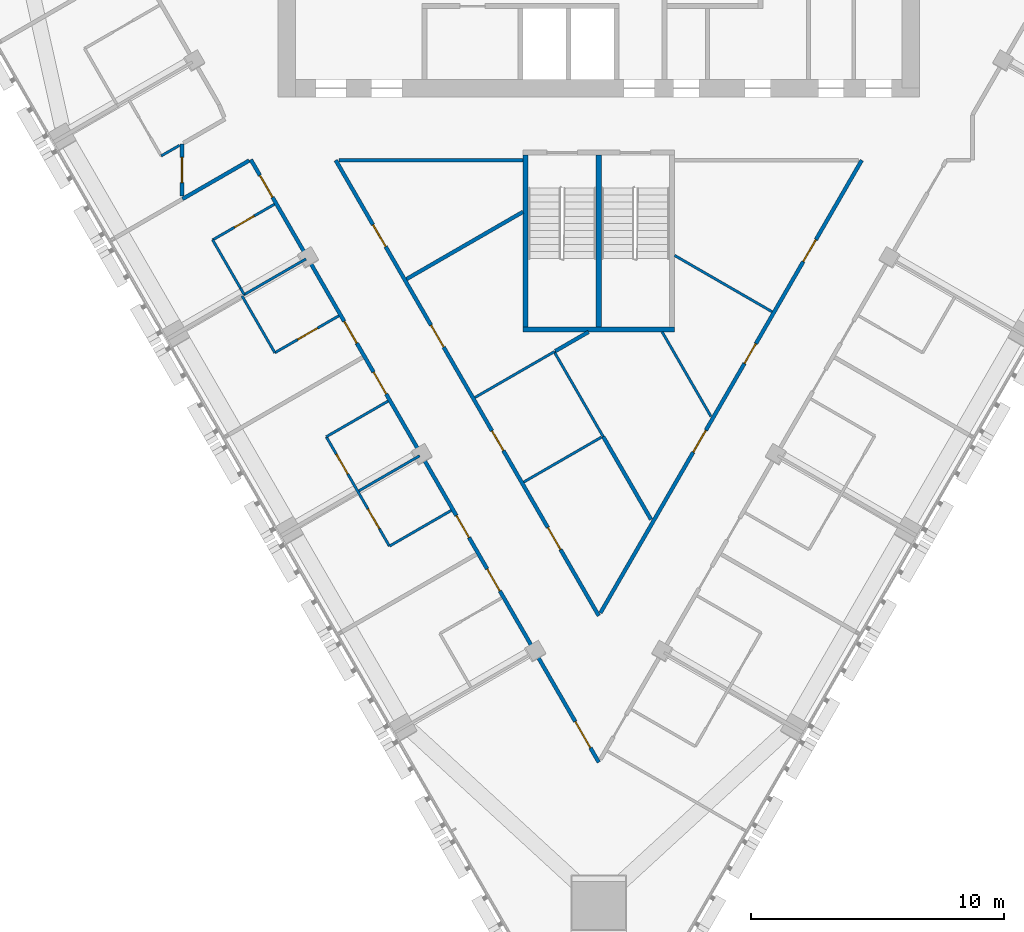
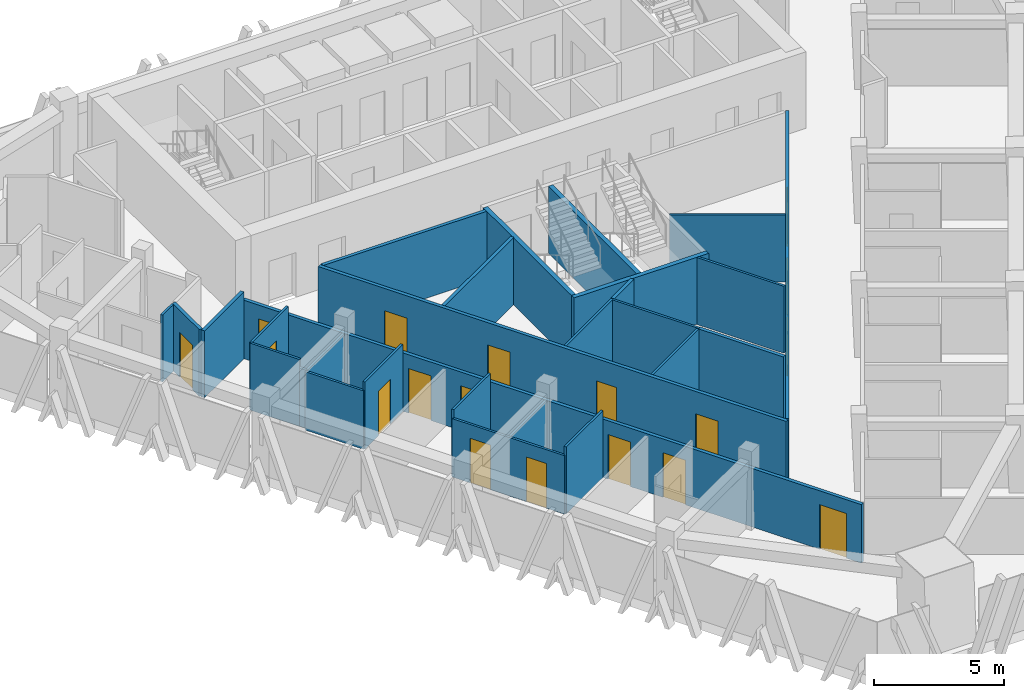
# One storey, part 9 of 16: 28 walls, 18 doors, 18 openings.
"""IFC4 building model written with IfcOpenShell, lengths in metres."""

from ifc_helpers import new_model, si_unit, direction, frame, frame_2d, origin, place, context, subcontext, project, spatial, rectangle, extrude, material, layer, layer_set, type_object, element, fill, save


model = new_model("IFC4")

# Units and contexts
model_context = context("Model", 3, precision=1e-05, world=origin(), true_north=direction((0.0, 1.0)))
body_context = subcontext(model_context, "Body", "Model", "MODEL_VIEW")
ifc_project = project(units=[si_unit("LENGTHUNIT", "METRE"), si_unit("AREAUNIT", "SQUARE_METRE"), si_unit("VOLUMEUNIT", "CUBIC_METRE"), si_unit("PLANEANGLEUNIT", "RADIAN"), si_unit("MASSUNIT", "GRAM", prefix="KILO")], contexts=[model_context])

# Site, building, storey
site_placement = place(None, origin())
site = spatial("IfcSite", under=ifc_project, at=site_placement, CompositionType="ELEMENT")
building_placement = place(site_placement, origin())
building = spatial("IfcBuilding", under=site, at=building_placement, Name="Altiplano Prism Tower", CompositionType="ELEMENT")
storey_placement = place(building_placement, frame((0.0, 0.0, 174.60009765625)))
storey = spatial("IfcBuildingStorey", under=building, at=storey_placement, Name="L45", CompositionType="ELEMENT", Elevation=174.60009765625)

# Walls
ifc_material_1 = material(Name="Plasterboard on steel stud", Category="steel")
ifc_layer_1 = layer(ifc_material_1, 0.10009765625)
ifc_layer_set_1 = layer_set([ifc_layer_1], Name="Plasterboard on steel stud")
wall_type_1 = type_object("IfcWallType", Name="Partition 100 unit", PredefinedType="PARTITIONING", material=ifc_layer_set_1)
wall_1_placement = place(storey_placement, frame((68.39990234375, 90.7890625, 0.0), z_axis=(0.0, 0.0, 1.0), x_axis=(-0.866083720475, -0.499898978922, 0.0)))
element("IfcWall", 1, at=wall_1_placement, inside=storey, type_object=wall_type_1, Name="Partition P02 L45 044", PredefinedType="PARTITIONING", context=body_context, shape_type="SweptSolid", body=[
    extrude(rectangle(XDim=0.838134765625, YDim=0.10009765625, at=frame_2d((0.4189453125, 0.0))), origin(), (0.0, 0.0, 1.0), 3.14990234375),
])
wall_2_placement = place(storey_placement, frame((70.960693359375, 84.87744140625, 0.0), z_axis=(0.0, 0.0, 1.0), x_axis=(-0.499816412211, 0.866131372301, 0.0)))
element("IfcWall", 2, at=wall_2_placement, inside=storey, type_object=wall_type_1, Name="Partition P02 L45 047", PredefinedType="PARTITIONING", context=body_context, shape_type="SweptSolid", body=[
    extrude(rectangle(XDim=0.2998046875, YDim=0.10009765625, at=frame_2d((0.14990234375, 0.0))), origin(), (0.0, 0.0, 1.0), 2.75),
])
wall_3_placement = place(storey_placement, frame((70.810791015625, 85.13720703125, 0.0), z_axis=(0.0, 0.0, 1.0), x_axis=(-0.50002983664, 0.866008176907, 0.0)))
element("IfcWall", 3, at=wall_3_placement, inside=storey, type_object=wall_type_1, Name="Partition P02 L45 048", PredefinedType="PARTITIONING", context=body_context, shape_type="SweptSolid", body=[
    extrude(rectangle(XDim=2.199951171875, YDim=0.10009765625, at=frame_2d((1.10009765625, 0.0))), origin(), (0.0, 0.0, 1.0), 3.14990234375),
])

# Wall, opening, door
wall_4_placement = place(storey_placement, frame((69.710693359375, 87.04248046875, 0.0), z_axis=(0.0, 0.0, 1.0), x_axis=(0.866011447264, 0.500024172624, 0.0)))
wall_4 = element("IfcWall", 4, at=wall_4_placement, inside=storey, type_object=wall_type_1, Name="Partition P02 L45 049", PredefinedType="PARTITIONING", context=body_context, shape_type="SweptSolid", body=[
    extrude(rectangle(XDim=2.824951171875, YDim=0.10009765625, at=frame_2d((1.41259765625, 0.0))), origin(), (0.0, 0.0, 1.0), 3.14990234375),
])
opening_1_placement = place(wall_4_placement, frame((1.0, 0.0, 0.0)))
opening_1 = element("IfcOpeningElement", 5, at=opening_1_placement, cuts=wall_4, Name="Opening D1584", PredefinedType="OPENING", context=body_context, shape_type="SweptSolid", body=[
    extrude(rectangle(XDim=0.89990234375, YDim=2.10009765625, at=frame_2d((0.449951171875, 1.050048828125))), frame((0.0, 0.060546875, 0.0), z_axis=(0.0, -1.0, 0.0), x_axis=(1.0, 0.0, 0.0)), (0.0, 0.0, 1.0), 0.12109375),
])
ifc_material_2 = material(Name="Timber", Category="wood")
door_type_1 = type_object("IfcDoorType", Name="Ensuite door 900 x 2100", OperationType="NOTDEFINED", PredefinedType="NOTDEFINED", material=ifc_material_2)
door_1_placement = place(opening_1_placement, origin())
door_1 = element("IfcDoor", 6, at=door_1_placement, inside=storey, type_object=door_type_1, Name="Door D1584", OperationType="SINGLE_SWING_RIGHT", OverallHeight=2.10009765625, OverallWidth=0.89990234375, PredefinedType="NOTDEFINED", context=body_context, shape_type="SweptSolid", body=[
    extrude(rectangle(XDim=0.89990234375, YDim=2.10009765625, at=frame_2d((0.449951171875, 1.050048828125))), frame((0.0, 0.02490234375, 0.0), z_axis=(0.0, -1.0, 0.0), x_axis=(1.0, 0.0, 0.0)), (0.0, 0.0, 1.0), 0.050048828125),
])
fill(opening_1, door_1)

wall_5_placement = place(storey_placement, frame((74.707275390625, 84.038330078125, 0.0), z_axis=(0.0, 0.0, 1.0), x_axis=(-0.866046596414, -0.499963291492, 0.0)))
wall_5 = element("IfcWall", 7, at=wall_5_placement, inside=storey, type_object=wall_type_1, Name="Partition P02 L45 052", PredefinedType="PARTITIONING", context=body_context, shape_type="SweptSolid", body=[
    extrude(rectangle(XDim=2.925048828125, YDim=0.10009765625, at=frame_2d((1.46240234375, 0.0))), origin(), (0.0, 0.0, 1.0), 3.14990234375),
])
opening_2_placement = place(wall_5_placement, frame((0.97509765625, 0.0, 0.0)))
opening_2 = element("IfcOpeningElement", 8, at=opening_2_placement, cuts=wall_5, Name="Opening D1586", PredefinedType="OPENING", context=body_context, shape_type="SweptSolid", body=[
    extrude(rectangle(XDim=0.89990234375, YDim=2.10009765625, at=frame_2d((0.449951171875, 1.050048828125))), frame((0.0, 0.060546875, 0.0), z_axis=(0.0, -1.0, 0.0), x_axis=(1.0, 0.0, 0.0)), (0.0, 0.0, 1.0), 0.12109375),
])
door_2_placement = place(opening_2_placement, origin())
door_2 = element("IfcDoor", 9, at=door_2_placement, inside=storey, type_object=door_type_1, Name="Door D1586", OperationType="SINGLE_SWING_LEFT", OverallHeight=2.10009765625, OverallWidth=0.89990234375, PredefinedType="NOTDEFINED", context=body_context, shape_type="SweptSolid", body=[
    extrude(rectangle(XDim=0.89990234375, YDim=2.10009765625, at=frame_2d((0.449951171875, 1.050048828125))), frame((0.0, 0.02490234375, 0.0), z_axis=(0.0, -1.0, 0.0), x_axis=(1.0, 0.0, 0.0)), (0.0, 0.0, 1.0), 0.050048828125),
])
fill(opening_2, door_2)

# Wall
wall_6_placement = place(storey_placement, frame((72.174072265625, 82.575927734375, 0.0), z_axis=(0.0, 0.0, 1.0), x_axis=(-0.500047596559, 0.865997922154, 0.0)))
element("IfcWall", 10, at=wall_6_placement, inside=storey, type_object=wall_type_1, Name="Partition P02 L45 053", PredefinedType="PARTITIONING", context=body_context, shape_type="SweptSolid", body=[
    extrude(rectangle(XDim=2.599853515625, YDim=0.10009765625, at=frame_2d((1.2998046875, 0.0))), origin(), (0.0, 0.0, 1.0), 2.75),
])

# Wall, openings, doors
wall_7_placement = place(storey_placement, frame((76.710693359375, 74.918212890625, 0.0), z_axis=(0.0, 0.0, 1.0), x_axis=(-0.500004234368, 0.866022959057, 0.0)))
wall_7 = element("IfcWall", 11, at=wall_7_placement, inside=storey, type_object=wall_type_1, Name="Partition P02 L45 055", PredefinedType="PARTITIONING", context=body_context, shape_type="SweptSolid", body=[
    extrude(rectangle(XDim=5.0, YDim=0.10009765625, at=frame_2d((2.5, 0.0))), origin(), (0.0, 0.0, 1.0), 2.75),
])
opening_3_placement = place(wall_7_placement, frame((3.300048828125, 0.0, 0.0)))
opening_3 = element("IfcOpeningElement", 12, at=opening_3_placement, cuts=wall_7, Name="Opening D1588", PredefinedType="OPENING", context=body_context, shape_type="SweptSolid", body=[
    extrude(rectangle(XDim=0.89990234375, YDim=2.10009765625, at=frame_2d((0.449951171875, 1.050048828125))), frame((0.0, 0.060546875, 0.0), z_axis=(0.0, -1.0, 0.0), x_axis=(1.0, 0.0, 0.0)), (0.0, 0.0, 1.0), 0.12109375),
])
opening_4_placement = place(wall_7_placement, frame((0.800048828125, 0.0, 0.0)))
opening_4 = element("IfcOpeningElement", 13, at=opening_4_placement, cuts=wall_7, Name="Opening D1590", PredefinedType="OPENING", context=body_context, shape_type="SweptSolid", body=[
    extrude(rectangle(XDim=0.89990234375, YDim=2.10009765625, at=frame_2d((0.449951171875, 1.050048828125))), frame((0.0, 0.060546875, 0.0), z_axis=(0.0, -1.0, 0.0), x_axis=(1.0, 0.0, 0.0)), (0.0, 0.0, 1.0), 0.12109375),
])
door_3_placement = place(opening_3_placement, origin())
door_3 = element("IfcDoor", 14, at=door_3_placement, inside=storey, type_object=door_type_1, Name="Door D1588", OperationType="SINGLE_SWING_RIGHT", OverallHeight=2.10009765625, OverallWidth=0.89990234375, PredefinedType="NOTDEFINED", context=body_context, shape_type="SweptSolid", body=[
    extrude(rectangle(XDim=0.89990234375, YDim=2.10009765625, at=frame_2d((0.449951171875, 1.050048828125))), frame((0.0, 0.02490234375, 0.0), z_axis=(0.0, -1.0, 0.0), x_axis=(1.0, 0.0, 0.0)), (0.0, 0.0, 1.0), 0.050048828125),
])
fill(opening_3, door_3)
door_4_placement = place(opening_4_placement, origin())
door_4 = element("IfcDoor", 15, at=door_4_placement, inside=storey, type_object=door_type_1, Name="Door D1590", OperationType="SINGLE_SWING_RIGHT", OverallHeight=2.10009765625, OverallWidth=0.89990234375, PredefinedType="NOTDEFINED", context=body_context, shape_type="SweptSolid", body=[
    extrude(rectangle(XDim=0.89990234375, YDim=2.10009765625, at=frame_2d((0.449951171875, 1.050048828125))), frame((0.0, 0.02490234375, 0.0), z_axis=(0.0, -1.0, 0.0), x_axis=(1.0, 0.0, 0.0)), (0.0, 0.0, 1.0), 0.050048828125),
])
fill(opening_4, door_4)

# Walls
for number, where, z_axis, x_axis, name in (
    (16, (74.210693359375, 79.248291015625, 0.0), (0.0, 0.0, 1.0), (0.866011447264, 0.500024172624, 0.0), "Partition P02 L45 056"),
    (17, (79.1572265625, 76.330810546875, 0.0), (0.0, 0.0, 1.0), (-0.866011447264, -0.500024172624, 0.0), "Partition P02 L45 059"),
):
    element("IfcWall", number, at=place(storey_placement, frame(where, z_axis=z_axis, x_axis=x_axis)), inside=storey, type_object=wall_type_1, Name=name, PredefinedType="PARTITIONING", context=body_context, shape_type="SweptSolid", body=[
        extrude(rectangle(XDim=2.824951171875, YDim=0.10009765625, at=frame_2d((1.41259765625, 0.0))), origin(), (0.0, 0.0, 1.0), 3.14990234375),
    ])
ifc_layer_2 = layer(ifc_material_1, 0.10009765625)
ifc_layer_set_2 = layer_set([ifc_layer_2], Name="Plasterboard on steel stud")
wall_type_2 = type_object("IfcWallType", Name="Partition 100 wet", PredefinedType="PARTITIONING", material=ifc_layer_set_2)
wall_8_placement = place(storey_placement, frame((91.864013671875, 84.199462890625, 0.0), z_axis=(0.0, 0.0, 1.0), x_axis=(-0.866018833748, 0.500011379465, 0.0)))
element("IfcWall", 18, at=wall_8_placement, inside=storey, type_object=wall_type_2, Name="Partition P03 L45 032", PredefinedType="PARTITIONING", context=body_context, shape_type="SweptSolid", body=[
    extrude(rectangle(XDim=4.4619140625, YDim=0.10009765625, at=frame_2d((2.23095703125, 0.0))), origin(), (0.0, 0.0, 1.0), 3.14990234375),
])
wall_9_placement = place(storey_placement, frame((87.510498046875, 83.39990234375, 0.0), z_axis=(0.0, 0.0, 1.0), x_axis=(0.499979582667, -0.866037191416, 0.0)))
element("IfcWall", 19, at=wall_9_placement, inside=storey, type_object=wall_type_2, Name="Partition P03 L45 033", PredefinedType="PARTITIONING", context=body_context, shape_type="SweptSolid", body=[
    extrude(rectangle(XDim=3.863037109375, YDim=0.10009765625, at=frame_2d((1.931640625, 0.0))), origin(), (0.0, 0.0, 1.0), 3.14990234375),
])
wall_10_placement = place(storey_placement, frame((82.029052734375, 77.45654296875, 0.0), z_axis=(0.0, 0.0, 1.0), x_axis=(0.866033224232, 0.499986454343, 0.0)))
element("IfcWall", 20, at=wall_10_placement, inside=storey, type_object=wall_type_2, Name="Partition P03 L45 034", PredefinedType="PARTITIONING", context=body_context, shape_type="SweptSolid", body=[
    extrude(rectangle(XDim=3.548828125, YDim=0.10009765625, at=frame_2d((1.7744140625, 0.0))), origin(), (0.0, 0.0, 1.0), 3.14990234375),
])
wall_11_placement = place(storey_placement, frame((85.177490234375, 79.2509765625, 0.0), z_axis=(0.0, 0.0, 1.0), x_axis=(-0.500025259026, 0.866010819988, 0.0)))
element("IfcWall", 21, at=wall_11_placement, inside=storey, type_object=wall_type_2, Name="Partition P03 L45 035", PredefinedType="PARTITIONING", context=body_context, shape_type="SweptSolid", body=[
    extrude(rectangle(XDim=3.885009765625, YDim=0.10009765625, at=frame_2d((1.9423828125, 0.0))), origin(), (0.0, 0.0, 1.0), 3.14990234375),
])
wall_12_placement = place(storey_placement, frame((83.252197265625, 82.62548828125, 0.0), z_axis=(0.0, 0.0, 1.0), x_axis=(-0.866032721818, -0.499987324581, 0.0)))
element("IfcWall", 22, at=wall_12_placement, inside=storey, type_object=wall_type_2, Name="Partition P03 L45 036", PredefinedType="PARTITIONING", context=body_context, shape_type="SweptSolid", body=[
    extrude(rectangle(XDim=3.6435546875, YDim=0.10009765625, at=frame_2d((1.82177734375, 0.0))), origin(), (0.0, 0.0, 1.0), 3.14990234375),
])
wall_13_placement = place(storey_placement, frame((70.943359375, 84.867431640625, 0.0), z_axis=(0.0, 0.0, 1.0), x_axis=(0.866011243319, 0.500024525844, 0.0)))
element("IfcWall", 23, at=wall_13_placement, inside=storey, type_object=wall_type_2, Name="Partition P03 L45 051", PredefinedType="PARTITIONING", context=body_context, shape_type="SweptSolid", body=[
    extrude(rectangle(XDim=2.844970703125, YDim=0.10009765625, at=frame_2d((1.42236328125, 0.0))), origin(), (0.0, 0.0, 1.0), 2.75),
])
wall_14_placement = place(storey_placement, frame((75.504150390625, 77.108154296875, 0.0), z_axis=(0.0, 0.0, 1.0), x_axis=(0.865981921271, 0.50007530636, 0.0)))
element("IfcWall", 24, at=wall_14_placement, inside=storey, type_object=wall_type_2, Name="Partition P03 L45 058", PredefinedType="PARTITIONING", context=body_context, shape_type="SweptSolid", body=[
    extrude(rectangle(XDim=2.77490234375, YDim=0.10009765625, at=frame_2d((1.387451171875, 0.0))), origin(), (0.0, 0.0, 1.0), 2.75),
])

# Wall, openings, doors
ifc_layer_3 = layer(ifc_material_1, 0.14990234375)
ifc_layer_set_3 = layer_set([ifc_layer_3], Name="Plasterboard on steel stud")
wall_type_3 = type_object("IfcWallType", Name="Partition 150 corridor", PredefinedType="PARTITIONING", material=ifc_layer_set_3)
wall_15_placement = place(storey_placement, frame((95.4150390625, 90.199951171875, 0.0), z_axis=(0.0, 0.0, 1.0), x_axis=(-0.500002869824, -0.866023746885, 0.0)))
wall_15 = element("IfcWall", 25, at=wall_15_placement, inside=storey, type_object=wall_type_3, Name="Partition P06 L45 001", PredefinedType="PARTITIONING", context=body_context, shape_type="SweptSolid", body=[
    extrude(rectangle(XDim=20.7001953125, YDim=0.14990234375, at=frame_2d((10.35009765625, 0.0))), origin(), (0.0, 0.0, 1.0), 3.14990234375),
])
opening_5_placement = place(wall_15_placement, frame((8.39111328125, 0.0, 0.0)))
opening_5 = element("IfcOpeningElement", 26, at=opening_5_placement, cuts=wall_15, Name="Opening D1575", PredefinedType="OPENING", context=body_context, shape_type="SweptSolid", body=[
    extrude(rectangle(XDim=0.89990234375, YDim=2.10009765625, at=frame_2d((0.449951171875, 1.050048828125))), frame((0.0, 0.08544921875, 0.0), z_axis=(0.0, -1.0, 0.0), x_axis=(1.0, 0.0, 0.0)), (0.0, 0.0, 1.0), 0.1708984375),
])
opening_6_placement = place(wall_15_placement, frame((3.636962890625, 0.0, 0.0)))
opening_6 = element("IfcOpeningElement", 27, at=opening_6_placement, cuts=wall_15, Name="Opening D1609", PredefinedType="OPENING", context=body_context, shape_type="SweptSolid", body=[
    extrude(rectangle(XDim=1.0, YDim=2.10009765625, at=frame_2d((0.5, 1.050048828125))), frame((0.0, 0.08544921875, 0.0), z_axis=(0.0, -1.0, 0.0), x_axis=(1.0, 0.0, 0.0)), (0.0, 0.0, 1.0), 0.1708984375),
])
opening_7_placement = place(wall_15_placement, frame((12.35107421875, 0.0, 0.0)))
opening_7 = element("IfcOpeningElement", 28, at=opening_7_placement, cuts=wall_15, Name="Opening D1610", PredefinedType="OPENING", context=body_context, shape_type="SweptSolid", body=[
    extrude(rectangle(XDim=1.0, YDim=2.10009765625, at=frame_2d((0.5, 1.050048828125))), frame((0.0, 0.08544921875, 0.0), z_axis=(0.0, -1.0, 0.0), x_axis=(1.0, 0.0, 0.0)), (0.0, 0.0, 1.0), 0.1708984375),
])
door_type_2 = type_object("IfcDoorType", Name="Room door 1000 x 2100", OperationType="NOTDEFINED", PredefinedType="NOTDEFINED", material=ifc_material_2)
door_5_placement = place(opening_6_placement, origin())
door_5 = element("IfcDoor", 29, at=door_5_placement, inside=storey, type_object=door_type_2, Name="Door D1609", OperationType="SINGLE_SWING_LEFT", OverallHeight=2.10009765625, OverallWidth=1.0, PredefinedType="NOTDEFINED", context=body_context, shape_type="SweptSolid", body=[
    extrude(rectangle(XDim=1.0, YDim=2.10009765625, at=frame_2d((0.5, 1.050048828125))), frame((0.0, 0.02490234375, 0.0), z_axis=(0.0, -1.0, 0.0), x_axis=(1.0, 0.0, 0.0)), (0.0, 0.0, 1.0), 0.050048828125),
])
fill(opening_6, door_5)
door_6_placement = place(opening_7_placement, origin())
door_6 = element("IfcDoor", 30, at=door_6_placement, inside=storey, type_object=door_type_2, Name="Door D1610", OperationType="SINGLE_SWING_LEFT", OverallHeight=2.10009765625, OverallWidth=1.0, PredefinedType="NOTDEFINED", context=body_context, shape_type="SweptSolid", body=[
    extrude(rectangle(XDim=1.0, YDim=2.10009765625, at=frame_2d((0.5, 1.050048828125))), frame((0.0, 0.02490234375, 0.0), z_axis=(0.0, -1.0, 0.0), x_axis=(1.0, 0.0, 0.0)), (0.0, 0.0, 1.0), 0.050048828125),
])
fill(opening_7, door_6)
door_type_3 = type_object("IfcDoorType", Name="Toilet door 900 x 2100", OperationType="NOTDEFINED", PredefinedType="NOTDEFINED", material=ifc_material_2)
door_7_placement = place(opening_5_placement, origin())
door_7 = element("IfcDoor", 31, at=door_7_placement, inside=storey, type_object=door_type_3, Name="Door D1575", OperationType="SINGLE_SWING_LEFT", OverallHeight=2.10009765625, OverallWidth=0.89990234375, PredefinedType="NOTDEFINED", context=body_context, shape_type="SweptSolid", body=[
    extrude(rectangle(XDim=0.89990234375, YDim=2.10009765625, at=frame_2d((0.449951171875, 1.050048828125))), frame((0.0, 0.02490234375, 0.0), z_axis=(0.0, -1.0, 0.0), x_axis=(1.0, 0.0, 0.0)), (0.0, 0.0, 1.0), 0.050048828125),
])
fill(opening_5, door_7)

# Wall
wall_16_placement = place(storey_placement, frame((74.71484375, 90.199951171875, 0.0), z_axis=(0.0, 0.0, 1.0), x_axis=(1.0, 0.0, 0.0)))
element("IfcWall", 32, at=wall_16_placement, inside=storey, type_object=wall_type_3, Name="Partition P06 L45 002", PredefinedType="PARTITIONING", context=body_context, shape_type="SweptSolid", body=[
    extrude(rectangle(XDim=7.28515625, YDim=0.14990234375, at=frame_2d((3.642578125, 0.0))), origin(), (0.0, 0.0, 1.0), 3.14990234375),
])

# Wall, opening, door
wall_17_placement = place(storey_placement, frame((68.5, 90.846923828125, 0.0), z_axis=(0.0, 0.0, 1.0), x_axis=(0.0, -1.0, 0.0)))
wall_17 = element("IfcWall", 33, at=wall_17_placement, inside=storey, type_object=wall_type_3, Name="Partition P06 L45 005", PredefinedType="PARTITIONING", context=body_context, shape_type="SweptSolid", body=[
    extrude(rectangle(XDim=2.06396484375, YDim=0.14990234375, at=frame_2d((1.031982421875, 0.0))), origin(), (0.0, 0.0, 1.0), 3.14990234375),
])
opening_8_placement = place(wall_17_placement, frame((0.534912109375, 0.0, 0.0)))
opening_8 = element("IfcOpeningElement", 34, at=opening_8_placement, cuts=wall_17, Name="Opening D1581", PredefinedType="OPENING", context=body_context, shape_type="SweptSolid", body=[
    extrude(rectangle(XDim=1.0, YDim=2.10009765625, at=frame_2d((0.5, 1.050048828125))), frame((0.0, 0.08544921875, 0.0), z_axis=(0.0, -1.0, 0.0), x_axis=(1.0, 0.0, 0.0)), (0.0, 0.0, 1.0), 0.1708984375),
])
door_type_4 = type_object("IfcDoorType", Name="Bedroom entrance door 1000 x 2100", OperationType="NOTDEFINED", PredefinedType="NOTDEFINED", material=ifc_material_2)
door_8_placement = place(opening_8_placement, origin())
door_8 = element("IfcDoor", 35, at=door_8_placement, inside=storey, type_object=door_type_4, Name="Door D1581", OperationType="SINGLE_SWING_LEFT", OverallHeight=2.10009765625, OverallWidth=1.0, PredefinedType="NOTDEFINED", context=body_context, shape_type="SweptSolid", body=[
    extrude(rectangle(XDim=1.0, YDim=2.10009765625, at=frame_2d((0.5, 1.050048828125))), frame((0.0, 0.02490234375, 0.0), z_axis=(0.0, -1.0, 0.0), x_axis=(1.0, 0.0, 0.0)), (0.0, 0.0, 1.0), 0.050048828125),
])
fill(opening_8, door_8)

# Wall
wall_18_placement = place(storey_placement, frame((68.52001953125, 88.66455078125, 0.0), z_axis=(0.0, 0.0, 1.0), x_axis=(0.866044067064, 0.499967672858, 0.0)))
element("IfcWall", 36, at=wall_18_placement, inside=storey, type_object=wall_type_3, Name="Partition P06 L45 008", PredefinedType="PARTITIONING", context=body_context, shape_type="SweptSolid", body=[
    extrude(rectangle(XDim=3.045166015625, YDim=0.14990234375, at=frame_2d((1.5224609375, 0.0))), origin(), (0.0, 0.0, 1.0), 3.14990234375),
])

# Wall, openings, doors
wall_19_placement = place(storey_placement, frame((71.22216796875, 90.224609375, 0.0), z_axis=(0.0, 0.0, 1.0), x_axis=(0.500002130291, -0.866024173857, 0.0)))
wall_19 = element("IfcWall", 37, at=wall_19_placement, inside=storey, type_object=wall_type_3, Name="Partition P06 L45 009", PredefinedType="PARTITIONING", context=body_context, shape_type="SweptSolid", body=[
    extrude(rectangle(XDim=27.5556640625, YDim=0.14990234375, at=frame_2d((13.77783203125, 0.0))), origin(), (0.0, 0.0, 1.0), 2.75),
])
opening_9_placement = place(wall_19_placement, frame((0.719970703125, 0.0, 0.0)))
opening_9 = element("IfcOpeningElement", 38, at=opening_9_placement, cuts=wall_19, Name="Opening D1583", PredefinedType="OPENING", context=body_context, shape_type="SweptSolid", body=[
    extrude(rectangle(XDim=1.0, YDim=2.10009765625, at=frame_2d((0.5, 1.050048828125))), frame((0.0, 0.08544921875, 0.0), z_axis=(0.0, -1.0, 0.0), x_axis=(1.0, 0.0, 0.0)), (0.0, 0.0, 1.0), 0.1708984375),
])
opening_10_placement = place(wall_19_placement, frame((7.39501953125, 0.0, 0.0)))
opening_10 = element("IfcOpeningElement", 39, at=opening_10_placement, cuts=wall_19, Name="Opening D1585", PredefinedType="OPENING", context=body_context, shape_type="SweptSolid", body=[
    extrude(rectangle(XDim=1.0, YDim=2.10009765625, at=frame_2d((0.5, 1.050048828125))), frame((0.0, 0.08544921875, 0.0), z_axis=(0.0, -1.0, 0.0), x_axis=(1.0, 0.0, 0.0)), (0.0, 0.0, 1.0), 0.1708984375),
])
opening_11_placement = place(wall_19_placement, frame((9.719970703125, 0.0, 0.0)))
opening_11 = element("IfcOpeningElement", 40, at=opening_11_placement, cuts=wall_19, Name="Opening D1587", PredefinedType="OPENING", context=body_context, shape_type="SweptSolid", body=[
    extrude(rectangle(XDim=1.0, YDim=2.10009765625, at=frame_2d((0.5, 1.050048828125))), frame((0.0, 0.08544921875, 0.0), z_axis=(0.0, -1.0, 0.0), x_axis=(1.0, 0.0, 0.0)), (0.0, 0.0, 1.0), 0.1708984375),
])
opening_12_placement = place(wall_19_placement, frame((16.280029296875, 0.0, 0.0)))
opening_12 = element("IfcOpeningElement", 41, at=opening_12_placement, cuts=wall_19, Name="Opening D1589", PredefinedType="OPENING", context=body_context, shape_type="SweptSolid", body=[
    extrude(rectangle(XDim=1.0, YDim=2.10009765625, at=frame_2d((0.5, 1.050048828125))), frame((0.0, 0.08544921875, 0.0), z_axis=(0.0, -1.0, 0.0), x_axis=(1.0, 0.0, 0.0)), (0.0, 0.0, 1.0), 0.1708984375),
])
opening_13_placement = place(wall_19_placement, frame((18.719970703125, 0.0, 0.0)))
opening_13 = element("IfcOpeningElement", 42, at=opening_13_placement, cuts=wall_19, Name="Opening D1591", PredefinedType="OPENING", context=body_context, shape_type="SweptSolid", body=[
    extrude(rectangle(XDim=1.0, YDim=2.10009765625, at=frame_2d((0.5, 1.050048828125))), frame((0.0, 0.08544921875, 0.0), z_axis=(0.0, -1.0, 0.0), x_axis=(1.0, 0.0, 0.0)), (0.0, 0.0, 1.0), 0.1708984375),
])
opening_14_placement = place(wall_19_placement, frame((25.697021484375, 0.0, 0.0)))
opening_14 = element("IfcOpeningElement", 43, at=opening_14_placement, cuts=wall_19, Name="Opening D1593", PredefinedType="OPENING", context=body_context, shape_type="SweptSolid", body=[
    extrude(rectangle(XDim=1.199951171875, YDim=2.10009765625, at=frame_2d((0.60009765625, 1.050048828125))), frame((0.0, 0.08544921875, 0.0), z_axis=(0.0, -1.0, 0.0), x_axis=(1.0, 0.0, 0.0)), (0.0, 0.0, 1.0), 0.1708984375),
])
door_9_placement = place(opening_9_placement, origin())
door_9 = element("IfcDoor", 44, at=door_9_placement, inside=storey, type_object=door_type_4, Name="Door D1583", OperationType="SINGLE_SWING_LEFT", OverallHeight=2.10009765625, OverallWidth=1.0, PredefinedType="NOTDEFINED", context=body_context, shape_type="SweptSolid", body=[
    extrude(rectangle(XDim=1.0, YDim=2.10009765625, at=frame_2d((0.5, 1.050048828125))), frame((0.0, 0.02490234375, 0.0), z_axis=(0.0, -1.0, 0.0), x_axis=(1.0, 0.0, 0.0)), (0.0, 0.0, 1.0), 0.050048828125),
])
fill(opening_9, door_9)
door_10_placement = place(opening_10_placement, origin())
door_10 = element("IfcDoor", 45, at=door_10_placement, inside=storey, type_object=door_type_4, Name="Door D1585", OperationType="SINGLE_SWING_RIGHT", OverallHeight=2.10009765625, OverallWidth=1.0, PredefinedType="NOTDEFINED", context=body_context, shape_type="SweptSolid", body=[
    extrude(rectangle(XDim=1.0, YDim=2.10009765625, at=frame_2d((0.5, 1.050048828125))), frame((0.0, 0.02490234375, 0.0), z_axis=(0.0, -1.0, 0.0), x_axis=(1.0, 0.0, 0.0)), (0.0, 0.0, 1.0), 0.050048828125),
])
fill(opening_10, door_10)
door_11_placement = place(opening_11_placement, origin())
door_11 = element("IfcDoor", 46, at=door_11_placement, inside=storey, type_object=door_type_4, Name="Door D1587", OperationType="SINGLE_SWING_RIGHT", OverallHeight=2.10009765625, OverallWidth=1.0, PredefinedType="NOTDEFINED", context=body_context, shape_type="SweptSolid", body=[
    extrude(rectangle(XDim=1.0, YDim=2.10009765625, at=frame_2d((0.5, 1.050048828125))), frame((0.0, 0.02490234375, 0.0), z_axis=(0.0, -1.0, 0.0), x_axis=(1.0, 0.0, 0.0)), (0.0, 0.0, 1.0), 0.050048828125),
])
fill(opening_11, door_11)
door_12_placement = place(opening_12_placement, origin())
door_12 = element("IfcDoor", 47, at=door_12_placement, inside=storey, type_object=door_type_4, Name="Door D1589", OperationType="SINGLE_SWING_LEFT", OverallHeight=2.10009765625, OverallWidth=1.0, PredefinedType="NOTDEFINED", context=body_context, shape_type="SweptSolid", body=[
    extrude(rectangle(XDim=1.0, YDim=2.10009765625, at=frame_2d((0.5, 1.050048828125))), frame((0.0, 0.02490234375, 0.0), z_axis=(0.0, -1.0, 0.0), x_axis=(1.0, 0.0, 0.0)), (0.0, 0.0, 1.0), 0.050048828125),
])
fill(opening_12, door_12)
door_13_placement = place(opening_13_placement, origin())
door_13 = element("IfcDoor", 48, at=door_13_placement, inside=storey, type_object=door_type_4, Name="Door D1591", OperationType="SINGLE_SWING_RIGHT", OverallHeight=2.10009765625, OverallWidth=1.0, PredefinedType="NOTDEFINED", context=body_context, shape_type="SweptSolid", body=[
    extrude(rectangle(XDim=1.0, YDim=2.10009765625, at=frame_2d((0.5, 1.050048828125))), frame((0.0, 0.02490234375, 0.0), z_axis=(0.0, -1.0, 0.0), x_axis=(1.0, 0.0, 0.0)), (0.0, 0.0, 1.0), 0.050048828125),
])
fill(opening_13, door_13)
door_type_5 = type_object("IfcDoorType", Name="Shared room door 1200 x 2100", OperationType="NOTDEFINED", PredefinedType="NOTDEFINED", material=ifc_material_2)
door_14_placement = place(opening_14_placement, origin())
door_14 = element("IfcDoor", 49, at=door_14_placement, inside=storey, type_object=door_type_5, Name="Door D1593", OperationType="SINGLE_SWING_RIGHT", OverallHeight=2.10009765625, OverallWidth=1.199951171875, PredefinedType="NOTDEFINED", context=body_context, shape_type="SweptSolid", body=[
    extrude(rectangle(XDim=1.199951171875, YDim=2.10009765625, at=frame_2d((0.60009765625, 1.050048828125))), frame((0.0, 0.02490234375, 0.0), z_axis=(0.0, -1.0, 0.0), x_axis=(1.0, 0.0, 0.0)), (0.0, 0.0, 1.0), 0.050048828125),
])
fill(opening_14, door_14)

wall_20_placement = place(storey_placement, frame((85.0, 72.160888671875, 0.0), z_axis=(0.0, 0.0, 1.0), x_axis=(-0.500006534091, 0.866021631292, 0.0)))
wall_20 = element("IfcWall", 50, at=wall_20_placement, inside=storey, type_object=wall_type_3, Name="Partition P06 L45 031", PredefinedType="PARTITIONING", context=body_context, shape_type="SweptSolid", body=[
    extrude(rectangle(XDim=20.829833984375, YDim=0.14990234375, at=frame_2d((10.4150390625, 0.0))), origin(), (0.0, 0.0, 1.0), 3.14990234375),
])
opening_15_placement = place(wall_20_placement, frame((7.553955078125, 0.0, 0.0)))
opening_15 = element("IfcOpeningElement", 51, at=opening_15_placement, cuts=wall_20, Name="Opening D1576", PredefinedType="OPENING", context=body_context, shape_type="SweptSolid", body=[
    extrude(rectangle(XDim=0.89990234375, YDim=2.10009765625, at=frame_2d((0.449951171875, 1.050048828125))), frame((0.0, 0.08544921875, 0.0), z_axis=(0.0, -1.0, 0.0), x_axis=(1.0, 0.0, 0.0)), (0.0, 0.0, 1.0), 0.1708984375),
])
opening_16_placement = place(wall_20_placement, frame((3.031982421875, 0.0, 0.0)))
opening_16 = element("IfcOpeningElement", 52, at=opening_16_placement, cuts=wall_20, Name="Opening D1577", PredefinedType="OPENING", context=body_context, shape_type="SweptSolid", body=[
    extrude(rectangle(XDim=1.0, YDim=2.10009765625, at=frame_2d((0.5, 1.050048828125))), frame((0.0, 0.08544921875, 0.0), z_axis=(0.0, -1.0, 0.0), x_axis=(1.0, 0.0, 0.0)), (0.0, 0.0, 1.0), 0.1708984375),
])
opening_17_placement = place(wall_20_placement, frame((16.8779296875, 0.0, 0.0)))
opening_17 = element("IfcOpeningElement", 53, at=opening_17_placement, cuts=wall_20, Name="Opening D1578", PredefinedType="OPENING", context=body_context, shape_type="SweptSolid", body=[
    extrude(rectangle(XDim=1.0, YDim=2.10009765625, at=frame_2d((0.5, 1.050048828125))), frame((0.0, 0.08544921875, 0.0), z_axis=(0.0, -1.0, 0.0), x_axis=(1.0, 0.0, 0.0)), (0.0, 0.0, 1.0), 0.1708984375),
])
opening_18_placement = place(wall_20_placement, frame((12.285888671875, 0.0, 0.0)))
opening_18 = element("IfcOpeningElement", 54, at=opening_18_placement, cuts=wall_20, Name="Opening D1611", PredefinedType="OPENING", context=body_context, shape_type="SweptSolid", body=[
    extrude(rectangle(XDim=1.0, YDim=2.10009765625, at=frame_2d((0.5, 1.050048828125))), frame((0.0, 0.08544921875, 0.0), z_axis=(0.0, -1.0, 0.0), x_axis=(1.0, 0.0, 0.0)), (0.0, 0.0, 1.0), 0.1708984375),
])
door_type_6 = type_object("IfcDoorType", Name="Store door 1000 x 2100", OperationType="NOTDEFINED", PredefinedType="NOTDEFINED", material=ifc_material_2)
door_15_placement = place(opening_16_placement, origin())
door_15 = element("IfcDoor", 55, at=door_15_placement, inside=storey, type_object=door_type_6, Name="Door D1577", OperationType="SINGLE_SWING_RIGHT", OverallHeight=2.10009765625, OverallWidth=1.0, PredefinedType="NOTDEFINED", context=body_context, shape_type="SweptSolid", body=[
    extrude(rectangle(XDim=1.0, YDim=2.10009765625, at=frame_2d((0.5, 1.050048828125))), frame((0.0, 0.02490234375, 0.0), z_axis=(0.0, -1.0, 0.0), x_axis=(1.0, 0.0, 0.0)), (0.0, 0.0, 1.0), 0.050048828125),
])
fill(opening_16, door_15)
door_16_placement = place(opening_17_placement, origin())
door_16 = element("IfcDoor", 56, at=door_16_placement, inside=storey, type_object=door_type_6, Name="Door D1578", OperationType="SINGLE_SWING_LEFT", OverallHeight=2.10009765625, OverallWidth=1.0, PredefinedType="NOTDEFINED", context=body_context, shape_type="SweptSolid", body=[
    extrude(rectangle(XDim=1.0, YDim=2.10009765625, at=frame_2d((0.5, 1.050048828125))), frame((0.0, 0.02490234375, 0.0), z_axis=(0.0, -1.0, 0.0), x_axis=(1.0, 0.0, 0.0)), (0.0, 0.0, 1.0), 0.050048828125),
])
fill(opening_17, door_16)
door_17_placement = place(opening_18_placement, origin())
door_17 = element("IfcDoor", 57, at=door_17_placement, inside=storey, type_object=door_type_6, Name="Door D1611", OperationType="SINGLE_SWING_LEFT", OverallHeight=2.10009765625, OverallWidth=1.0, PredefinedType="NOTDEFINED", context=body_context, shape_type="SweptSolid", body=[
    extrude(rectangle(XDim=1.0, YDim=2.10009765625, at=frame_2d((0.5, 1.050048828125))), frame((0.0, 0.02490234375, 0.0), z_axis=(0.0, -1.0, 0.0), x_axis=(1.0, 0.0, 0.0)), (0.0, 0.0, 1.0), 0.050048828125),
])
fill(opening_18, door_17)
door_18_placement = place(opening_15_placement, origin())
door_18 = element("IfcDoor", 58, at=door_18_placement, inside=storey, type_object=door_type_3, Name="Door D1576", OperationType="SINGLE_SWING_LEFT", OverallHeight=2.10009765625, OverallWidth=0.89990234375, PredefinedType="NOTDEFINED", context=body_context, shape_type="SweptSolid", body=[
    extrude(rectangle(XDim=0.89990234375, YDim=2.10009765625, at=frame_2d((0.449951171875, 1.050048828125))), frame((0.0, 0.02490234375, 0.0), z_axis=(0.0, -1.0, 0.0), x_axis=(1.0, 0.0, 0.0)), (0.0, 0.0, 1.0), 0.050048828125),
])
fill(opening_15, door_18)

# Walls
ifc_layer_4 = layer(ifc_material_1, 0.14990234375)
ifc_layer_set_4 = layer_set([ifc_layer_4], Name="Plasterboard on steel stud")
wall_type_4 = type_object("IfcWallType", Name="Partition 150 party", PredefinedType="PARTITIONING", material=ifc_layer_set_4)
wall_21_placement = place(storey_placement, frame((87.070556640625, 75.97216796875, 0.0), z_axis=(0.0, 0.0, 1.0), x_axis=(-0.50000898992, 0.86602021339, 0.0)))
element("IfcWall", 59, at=wall_21_placement, inside=storey, type_object=wall_type_4, Name="Partition P01 L45 037", PredefinedType="PARTITIONING", context=body_context, shape_type="SweptSolid", body=[
    extrude(rectangle(XDim=3.7861328125, YDim=0.14990234375, at=frame_2d((1.89306640625, 0.0))), origin(), (0.0, 0.0, 1.0), 3.14990234375),
])
wall_22_placement = place(storey_placement, frame((77.38916015625, 85.492919921875, 0.0), z_axis=(0.0, 0.0, 1.0), x_axis=(0.866022170906, 0.500005599468, 0.0)))
element("IfcWall", 60, at=wall_22_placement, inside=storey, type_object=wall_type_4, Name="Partition P01 L45 038", PredefinedType="PARTITIONING", context=body_context, shape_type="SweptSolid", body=[
    extrude(rectangle(XDim=5.32421875, YDim=0.14990234375, at=frame_2d((2.662109375, 0.0))), origin(), (0.0, 0.0, 1.0), 3.14990234375),
])
wall_23_placement = place(storey_placement, frame((84.593505859375, 83.39990234375, 0.0), z_axis=(0.0, 0.0, 1.0), x_axis=(-0.866038344573, -0.499977585228, 0.0)))
element("IfcWall", 61, at=wall_23_placement, inside=storey, type_object=wall_type_4, Name="Partition P01 L45 084", PredefinedType="PARTITIONING", context=body_context, shape_type="SweptSolid", body=[
    extrude(rectangle(XDim=1.5185546875, YDim=0.14990234375, at=frame_2d((0.75927734375, 0.0))), origin(), (0.0, 0.0, 1.0), 3.14990234375),
])
ifc_material_3 = material(Name="Concrete C60/75", Category="concrete")
ifc_layer_5 = layer(ifc_material_3, 0.199951171875)
ifc_layer_set_5 = layer_set([ifc_layer_5], Name="Concrete C60/75")
wall_type_5 = type_object("IfcWallType", Name="Stair wall 200", PredefinedType="SOLIDWALL", material=ifc_layer_set_5)
wall_24_placement = place(storey_placement, frame((82.0, 83.5, 0.0), z_axis=(0.0, 0.0, 1.0), x_axis=(1.0, 0.0, 0.0)))
element("IfcWall", 62, at=wall_24_placement, inside=storey, type_object=wall_type_5, Name="Stair 3 wall south L45", PredefinedType="SOLIDWALL", context=body_context, shape_type="SweptSolid", body=[
    extrude(rectangle(XDim=6.0, YDim=0.199951171875, at=frame_2d((3.0, 0.0))), origin(), (0.0, 0.0, 1.0), 3.14990234375),
])
for number, where, z_axis, x_axis, name in (
    (63, (82.10009765625, 83.60009765625, 0.0), (0.0, 0.0, 1.0), (0.0, 1.0, 0.0), "Stair 3 wall west L45"),
    (64, (85.0, 83.60009765625, 0.0), (0.0, 0.0, 1.0), (0.0, 1.0, 0.0), "Stair 3 wall divider L45"),
):
    element("IfcWall", number, at=place(storey_placement, frame(where, z_axis=z_axis, x_axis=x_axis)), inside=storey, type_object=wall_type_5, Name=name, PredefinedType="SOLIDWALL", context=body_context, shape_type="SweptSolid", body=[
        extrude(rectangle(XDim=6.7998046875, YDim=0.199951171875, at=frame_2d((3.39990234375, 0.0))), origin(), (0.0, 0.0, 1.0), 3.14990234375),
    ])

save(model, "model.ifc")
